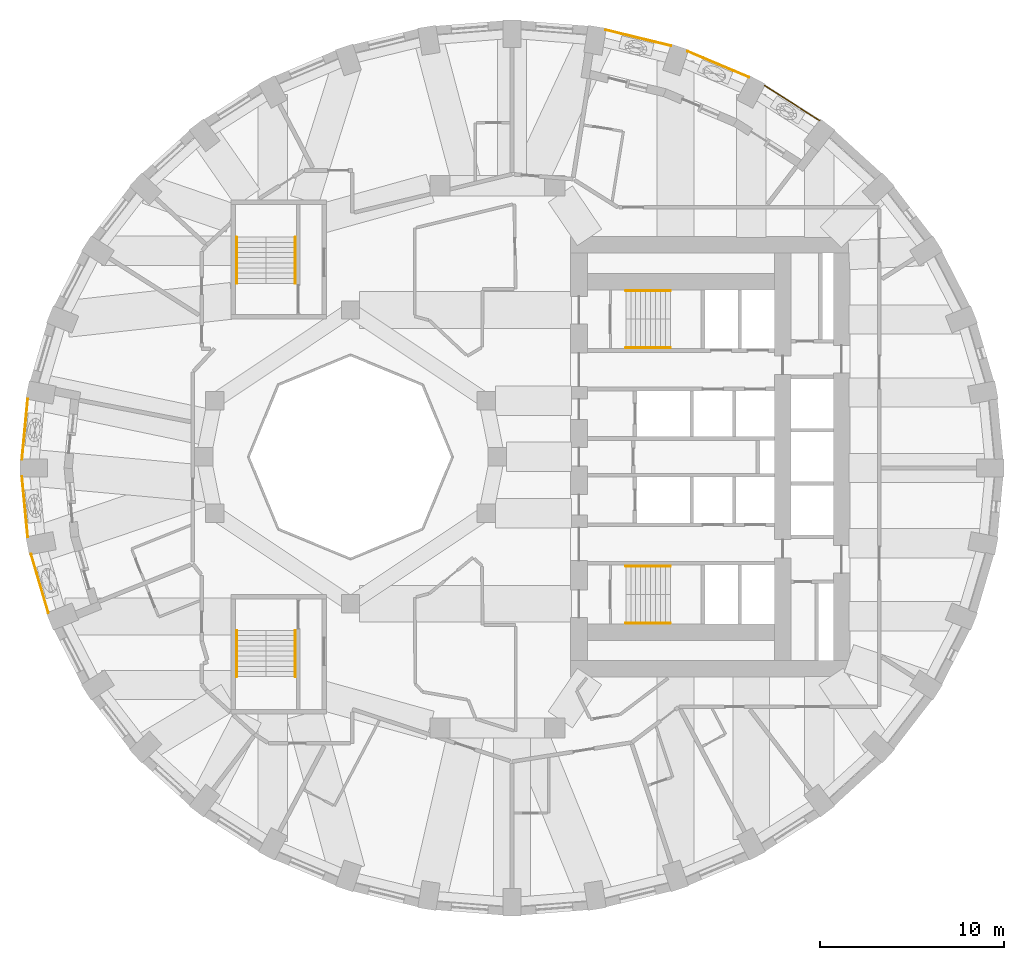
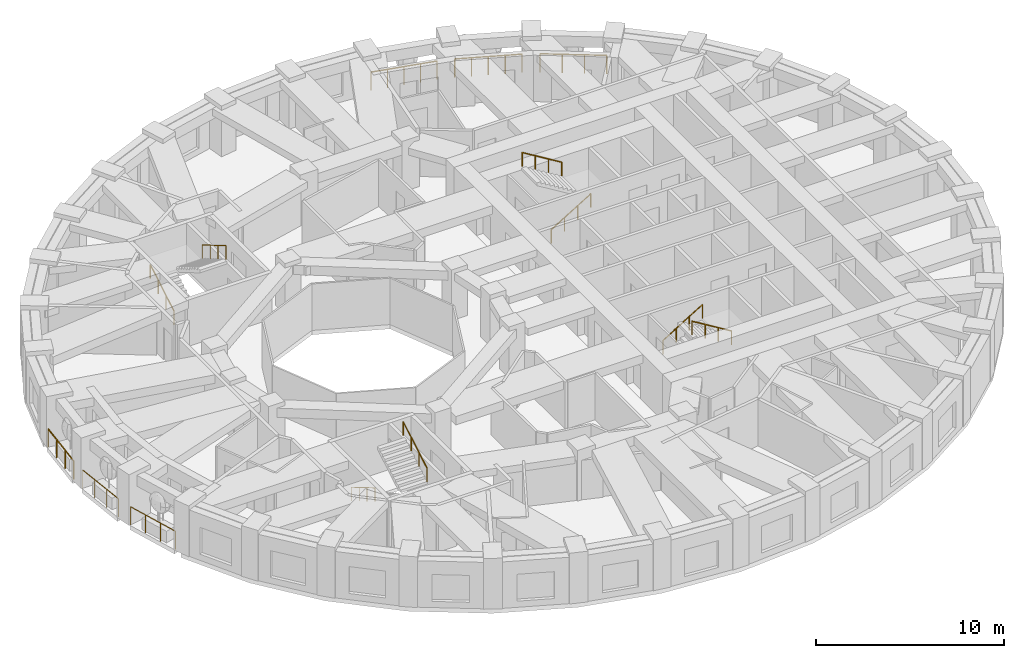
# One storey, part 10 of 12: 14 railings.
"""IFC4 building model written with IfcOpenShell, lengths in metres."""

from ifc_helpers import new_model, si_unit, direction, frame, origin, origin_2d, place, context, subcontext, project, spatial, circle, extrude, material, type_object, element, save


model = new_model("IFC4")

# Units and contexts
model_context = context("Model", 3, precision=1e-05, world=origin(), true_north=direction((0.0, 1.0)))
body_context = subcontext(model_context, "Body", "Model", "MODEL_VIEW")
ifc_project = project(units=[si_unit("LENGTHUNIT", "METRE"), si_unit("AREAUNIT", "SQUARE_METRE"), si_unit("VOLUMEUNIT", "CUBIC_METRE"), si_unit("PLANEANGLEUNIT", "RADIAN"), si_unit("MASSUNIT", "GRAM", prefix="KILO")], contexts=[model_context])

# Site, building, storey
site_placement = place(None, origin())
site = spatial("IfcSite", under=ifc_project, at=site_placement, CompositionType="ELEMENT")
building_placement = place(site_placement, origin())
building = spatial("IfcBuilding", under=site, at=building_placement, Name="Taillehof Tower", CompositionType="ELEMENT")
storey_placement = place(building_placement, frame((0.0, 0.0, 102.10009765625)))
storey = spatial("IfcBuildingStorey", under=building, at=storey_placement, Name="L28", CompositionType="ELEMENT", Elevation=102.10009765625)

# Railings
ifc_material_1 = material(Name="Stainless steel balustrade", Category="steel")
railing_type_1 = type_object("IfcRailingType", Name="Balcony guard 1200", PredefinedType="GUARDRAIL", material=ifc_material_1)
railing_1_placement = place(storey_placement, frame((17.556640625, 18.323486328125, 0.0)))
element("IfcRailing", 1, at=railing_1_placement, inside=storey, type_object=railing_type_1, Name="Balcony guard L28 bay 6", PredefinedType="GUARDRAIL", context=body_context, shape_type="SweptSolid", body=[
    extrude(circle(Radius=0.02392578125, at=origin_2d()), frame((0.0, 0.0, 1.17578125), z_axis=(-0.843861920992, 0.536560395761, 0.0), x_axis=(-0.536560395761, -0.843861920992, 0.0)), (0.0, 0.0, 1.0), 3.56005859375),
    extrude(circle(Radius=0.02099609375, at=origin_2d()), origin(), (0.0, 0.0, 1.0), 1.15185546875),
    extrude(circle(Radius=0.02099609375, at=origin_2d()), frame((-1.00146484375, 0.63671875, 0.0)), (0.0, 0.0, 1.0), 1.15185546875),
    extrude(circle(Radius=0.02099609375, at=origin_2d()), frame((-2.002685546875, 1.2734375, 0.0)), (0.0, 0.0, 1.0), 1.15185546875),
    extrude(circle(Radius=0.02099609375, at=origin_2d()), frame((-3.004150390625, 1.91015625, 0.0)), (0.0, 0.0, 1.0), 1.15185546875),
])
railing_2_placement = place(storey_placement, frame((13.702392578125, 20.679931640625, 0.0)))
element("IfcRailing", 2, at=railing_2_placement, inside=storey, type_object=railing_type_1, Name="Balcony guard L28 bay 7", PredefinedType="GUARDRAIL", context=body_context, shape_type="SweptSolid", body=[
    extrude(circle(Radius=0.02392578125, at=origin_2d()), frame((0.0, 0.0, 1.17578125), z_axis=(-0.920860132176, 0.389893084024, 0.0), x_axis=(-0.389893084024, -0.920860132176, 0.0)), (0.0, 0.0, 1.0), 3.61865234375),
    extrude(circle(Radius=0.02099609375, at=origin_2d()), origin(), (0.0, 0.0, 1.0), 1.15185546875),
    extrude(circle(Radius=0.02099609375, at=origin_2d()), frame((-0.8330078125, 0.352783203125, 0.0)), (0.0, 0.0, 1.0), 1.15185546875),
    extrude(circle(Radius=0.02099609375, at=origin_2d()), frame((-1.666015625, 0.70556640625, 0.0)), (0.0, 0.0, 1.0), 1.15185546875),
    extrude(circle(Radius=0.02099609375, at=origin_2d()), frame((-2.499267578125, 1.05810546875, 0.0)), (0.0, 0.0, 1.0), 1.15185546875),
    extrude(circle(Radius=0.02099609375, at=origin_2d()), frame((-3.332275390625, 1.410888671875, 0.0)), (0.0, 0.0, 1.0), 1.15185546875),
])
railing_3_placement = place(storey_placement, frame((9.45849609375, 22.392333984375, 0.0)))
element("IfcRailing", 3, at=railing_3_placement, inside=storey, type_object=railing_type_1, Name="Balcony guard L28 bay 8", PredefinedType="GUARDRAIL", context=body_context, shape_type="SweptSolid", body=[
    extrude(circle(Radius=0.02392578125, at=origin_2d()), frame((0.0, 0.0, 1.17578125), z_axis=(-0.971645249883, 0.236443457047, 0.0), x_axis=(-0.236443457047, -0.971645249883, 0.0)), (0.0, 0.0, 1.0), 3.661376953125),
    extrude(circle(Radius=0.02099609375, at=origin_2d()), origin(), (0.0, 0.0, 1.0), 1.15185546875),
    extrude(circle(Radius=0.02099609375, at=origin_2d()), frame((-0.889404296875, 0.21630859375, 0.0)), (0.0, 0.0, 1.0), 1.15185546875),
    extrude(circle(Radius=0.02099609375, at=origin_2d()), frame((-1.77880859375, 0.432861328125, 0.0)), (0.0, 0.0, 1.0), 1.15185546875),
    extrude(circle(Radius=0.02099609375, at=origin_2d()), frame((-2.668212890625, 0.6494140625, 0.0)), (0.0, 0.0, 1.0), 1.15185546875),
    extrude(circle(Radius=0.02099609375, at=origin_2d()), frame((-3.5576171875, 0.86572265625, 0.0)), (0.0, 0.0, 1.0), 1.15185546875),
])
railing_4_placement = place(storey_placement, frame((-25.57763671875, 3.157958984375, 0.0)))
element("IfcRailing", 4, at=railing_4_placement, inside=storey, type_object=railing_type_1, Name="Balcony guard L28 bay 18", PredefinedType="GUARDRAIL", context=body_context, shape_type="SweptSolid", body=[
    extrude(circle(Radius=0.02392578125, at=origin_2d()), frame((0.0, 0.0, 1.17578125), z_axis=(-0.095935608485, -0.995387542129, 0.0), x_axis=(0.995387542129, -0.095935608485, 0.0)), (0.0, 0.0, 1.0), 3.29296875),
    extrude(circle(Radius=0.02099609375, at=origin_2d()), origin(), (0.0, 0.0, 1.0), 1.15185546875),
    extrude(circle(Radius=0.02099609375, at=origin_2d()), frame((-0.105224609375, -1.092529296875, 0.0)), (0.0, 0.0, 1.0), 1.15185546875),
    extrude(circle(Radius=0.02099609375, at=origin_2d()), frame((-0.210693359375, -2.185302734375, 0.0)), (0.0, 0.0, 1.0), 1.15185546875),
    extrude(circle(Radius=0.02099609375, at=origin_2d()), frame((-0.31591796875, -3.27783203125, 0.0)), (0.0, 0.0, 1.0), 1.15185546875),
])
railing_5_placement = place(storey_placement, frame((-25.8935546875, -1.080078125, 0.0)))
element("IfcRailing", 5, at=railing_5_placement, inside=storey, type_object=railing_type_1, Name="Balcony guard L28 bay 19", PredefinedType="GUARDRAIL", context=body_context, shape_type="SweptSolid", body=[
    extrude(circle(Radius=0.02392578125, at=origin_2d()), frame((0.0, 0.0, 1.17578125), z_axis=(0.095935608485, -0.995387542129, 0.0), x_axis=(0.995387542129, 0.095935608485, 0.0)), (0.0, 0.0, 1.0), 3.29296875),
    extrude(circle(Radius=0.02099609375, at=origin_2d()), origin(), (0.0, 0.0, 1.0), 1.15185546875),
    extrude(circle(Radius=0.02099609375, at=origin_2d()), frame((0.105224609375, -1.092529296875, 0.0)), (0.0, 0.0, 1.0), 1.15185546875),
    extrude(circle(Radius=0.02099609375, at=origin_2d()), frame((0.210693359375, -2.185302734375, 0.0)), (0.0, 0.0, 1.0), 1.15185546875),
    extrude(circle(Radius=0.02099609375, at=origin_2d()), frame((0.31591796875, -3.27783203125, 0.0)), (0.0, 0.0, 1.0), 1.15185546875),
])
railing_6_placement = place(storey_placement, frame((-25.394775390625, -5.300537109375, 0.0)))
element("IfcRailing", 6, at=railing_6_placement, inside=storey, type_object=railing_type_1, Name="Balcony guard L28 bay 20", PredefinedType="GUARDRAIL", context=body_context, shape_type="SweptSolid", body=[
    extrude(circle(Radius=0.02392578125, at=origin_2d()), frame((0.0, 0.0, 1.17578125), z_axis=(0.283030785866, -0.959110824802, 0.0), x_axis=(0.959110824802, 0.283030785866, 0.0)), (0.0, 0.0, 1.0), 3.317626953125),
    extrude(circle(Radius=0.02099609375, at=origin_2d()), origin(), (0.0, 0.0, 1.0), 1.15185546875),
    extrude(circle(Radius=0.02099609375, at=origin_2d()), frame((0.31298828125, -1.060546875, 0.0)), (0.0, 0.0, 1.0), 1.15185546875),
    extrude(circle(Radius=0.02099609375, at=origin_2d()), frame((0.6259765625, -2.121337890625, 0.0)), (0.0, 0.0, 1.0), 1.15185546875),
    extrude(circle(Radius=0.02099609375, at=origin_2d()), frame((0.93896484375, -3.181884765625, 0.0)), (0.0, 0.0, 1.0), 1.15185546875),
])
ifc_material_2 = material(Name="Stainless steel", Category="steel")
railing_type_2 = type_object("IfcRailingType", Name="Stair handrail 900", PredefinedType="HANDRAIL", material=ifc_material_2)
railing_7_placement = place(storey_placement, frame((7.0, 5.949951171875, 0.164794921875)))
element("IfcRailing", 7, at=railing_7_placement, inside=storey, type_object=railing_type_2, Name="Stair S1 handrail", PredefinedType="HANDRAIL", context=body_context, shape_type="SweptSolid", body=[
    extrude(circle(Radius=0.02392578125, at=origin_2d()), frame((0.0, 0.0, 0.8759765625), z_axis=(0.853258522278, 0.0, 0.521488153423), x_axis=(0.0, 1.0, 0.0)), (0.0, 0.0, 1.0), 2.847900390625),
    extrude(circle(Radius=0.02099609375, at=origin_2d()), origin(), (0.0, 0.0, 1.0), 0.851806640625),
    extrude(circle(Radius=0.02099609375, at=origin_2d()), frame((0.81005859375, 0.0, 0.4951171875)), (0.0, 0.0, 1.0), 0.851806640625),
    extrude(circle(Radius=0.02099609375, at=origin_2d()), frame((1.619873046875, 0.0, 0.989990234375)), (0.0, 0.0, 1.0), 0.851806640625),
    extrude(circle(Radius=0.02099609375, at=origin_2d()), frame((2.429931640625, 0.0, 1.485107421875)), (0.0, 0.0, 1.0), 0.851806640625),
])
railing_8_placement = place(storey_placement, frame((9.429931640625, 9.050048828125, 1.81494140625)))
element("IfcRailing", 8, at=railing_8_placement, inside=storey, type_object=railing_type_2, Name="Stair S1 handrail", PredefinedType="HANDRAIL", context=body_context, shape_type="SweptSolid", body=[
    extrude(circle(Radius=0.02392578125, at=origin_2d()), frame((0.0, 0.0, 0.8759765625), z_axis=(-0.853296667938, 0.0, 0.521425734392), x_axis=(0.0, -1.0, 0.0)), (0.0, 0.0, 1.0), 2.84765625),
    extrude(circle(Radius=0.02099609375, at=origin_2d()), origin(), (0.0, 0.0, 1.0), 0.851806640625),
    extrude(circle(Radius=0.02099609375, at=origin_2d()), frame((-0.81005859375, 0.0, 0.494873046875)), (0.0, 0.0, 1.0), 0.851806640625),
    extrude(circle(Radius=0.02099609375, at=origin_2d()), frame((-1.619873046875, 0.0, 0.989990234375)), (0.0, 0.0, 1.0), 0.851806640625),
    extrude(circle(Radius=0.02099609375, at=origin_2d()), frame((-2.429931640625, 0.0, 1.48486328125)), (0.0, 0.0, 1.0), 0.851806640625),
])
railing_9_placement = place(storey_placement, frame((7.0, -5.949951171875, 0.164794921875)))
element("IfcRailing", 9, at=railing_9_placement, inside=storey, type_object=railing_type_2, Name="Stair S2 handrail", PredefinedType="HANDRAIL", context=body_context, shape_type="SweptSolid", body=[
    extrude(circle(Radius=0.02392578125, at=origin_2d()), frame((0.0, 0.0, 0.8759765625), z_axis=(0.853258522278, 0.0, 0.521488153423), x_axis=(0.0, 1.0, 0.0)), (0.0, 0.0, 1.0), 2.847900390625),
    extrude(circle(Radius=0.02099609375, at=origin_2d()), origin(), (0.0, 0.0, 1.0), 0.851806640625),
    extrude(circle(Radius=0.02099609375, at=origin_2d()), frame((0.81005859375, 0.0, 0.4951171875)), (0.0, 0.0, 1.0), 0.851806640625),
    extrude(circle(Radius=0.02099609375, at=origin_2d()), frame((1.619873046875, 0.0, 0.989990234375)), (0.0, 0.0, 1.0), 0.851806640625),
    extrude(circle(Radius=0.02099609375, at=origin_2d()), frame((2.429931640625, 0.0, 1.485107421875)), (0.0, 0.0, 1.0), 0.851806640625),
])
railing_10_placement = place(storey_placement, frame((9.429931640625, -9.050048828125, 1.81494140625)))
element("IfcRailing", 10, at=railing_10_placement, inside=storey, type_object=railing_type_2, Name="Stair S2 handrail", PredefinedType="HANDRAIL", context=body_context, shape_type="SweptSolid", body=[
    extrude(circle(Radius=0.02392578125, at=origin_2d()), frame((0.0, 0.0, 0.8759765625), z_axis=(-0.853296667938, 0.0, 0.521425734392), x_axis=(0.0, -1.0, 0.0)), (0.0, 0.0, 1.0), 2.84765625),
    extrude(circle(Radius=0.02099609375, at=origin_2d()), origin(), (0.0, 0.0, 1.0), 0.851806640625),
    extrude(circle(Radius=0.02099609375, at=origin_2d()), frame((-0.81005859375, 0.0, 0.494873046875)), (0.0, 0.0, 1.0), 0.851806640625),
    extrude(circle(Radius=0.02099609375, at=origin_2d()), frame((-1.619873046875, 0.0, 0.989990234375)), (0.0, 0.0, 1.0), 0.851806640625),
    extrude(circle(Radius=0.02099609375, at=origin_2d()), frame((-2.429931640625, 0.0, 1.48486328125)), (0.0, 0.0, 1.0), 0.851806640625),
])
railing_11_placement = place(storey_placement, frame((-14.199951171875, 9.449951171875, 0.164794921875)))
element("IfcRailing", 11, at=railing_11_placement, inside=storey, type_object=railing_type_2, Name="Stair S3 handrail", PredefinedType="HANDRAIL", context=body_context, shape_type="SweptSolid", body=[
    extrude(circle(Radius=0.02392578125, at=origin_2d()), frame((0.0, 0.0, 0.8759765625), z_axis=(0.0, 0.86152411907, 0.507716645641), x_axis=(-1.0, 0.0, 0.0)), (0.0, 0.0, 1.0), 2.925048828125),
    extrude(circle(Radius=0.02099609375, at=origin_2d()), origin(), (0.0, 0.0, 1.0), 0.851806640625),
    extrude(circle(Radius=0.02099609375, at=origin_2d()), frame((0.0, 0.840087890625, 0.4951171875)), (0.0, 0.0, 1.0), 0.851806640625),
    extrude(circle(Radius=0.02099609375, at=origin_2d()), frame((0.0, 1.679931640625, 0.989990234375)), (0.0, 0.0, 1.0), 0.851806640625),
    extrude(circle(Radius=0.02099609375, at=origin_2d()), frame((0.0, 2.52001953125, 1.485107421875)), (0.0, 0.0, 1.0), 0.851806640625),
])
railing_12_placement = place(storey_placement, frame((-11.0, 11.969970703125, 1.81494140625)))
element("IfcRailing", 12, at=railing_12_placement, inside=storey, type_object=railing_type_2, Name="Stair S3 handrail", PredefinedType="HANDRAIL", context=body_context, shape_type="SweptSolid", body=[
    extrude(circle(Radius=0.02392578125, at=origin_2d()), frame((0.0, 0.0, 0.8759765625), z_axis=(0.0, -0.861560626758, 0.507654692109), x_axis=(1.0, 0.0, 0.0)), (0.0, 0.0, 1.0), 2.925048828125),
    extrude(circle(Radius=0.02099609375, at=origin_2d()), origin(), (0.0, 0.0, 1.0), 0.851806640625),
    extrude(circle(Radius=0.02099609375, at=origin_2d()), frame((0.0, -0.840087890625, 0.494873046875)), (0.0, 0.0, 1.0), 0.851806640625),
    extrude(circle(Radius=0.02099609375, at=origin_2d()), frame((0.0, -1.679931640625, 0.989990234375)), (0.0, 0.0, 1.0), 0.851806640625),
    extrude(circle(Radius=0.02099609375, at=origin_2d()), frame((0.0, -2.52001953125, 1.48486328125)), (0.0, 0.0, 1.0), 0.851806640625),
])
railing_13_placement = place(storey_placement, frame((-14.199951171875, -9.449951171875, 0.164794921875)))
element("IfcRailing", 13, at=railing_13_placement, inside=storey, type_object=railing_type_2, Name="Stair S4 handrail", PredefinedType="HANDRAIL", context=body_context, shape_type="SweptSolid", body=[
    extrude(circle(Radius=0.02392578125, at=origin_2d()), frame((0.0, 0.0, 0.8759765625), z_axis=(0.0, -0.86152411907, 0.507716645641), x_axis=(1.0, 0.0, 0.0)), (0.0, 0.0, 1.0), 2.925048828125),
    extrude(circle(Radius=0.02099609375, at=origin_2d()), origin(), (0.0, 0.0, 1.0), 0.851806640625),
    extrude(circle(Radius=0.02099609375, at=origin_2d()), frame((0.0, -0.840087890625, 0.4951171875)), (0.0, 0.0, 1.0), 0.851806640625),
    extrude(circle(Radius=0.02099609375, at=origin_2d()), frame((0.0, -1.679931640625, 0.989990234375)), (0.0, 0.0, 1.0), 0.851806640625),
    extrude(circle(Radius=0.02099609375, at=origin_2d()), frame((0.0, -2.52001953125, 1.485107421875)), (0.0, 0.0, 1.0), 0.851806640625),
])
railing_14_placement = place(storey_placement, frame((-11.0, -11.969970703125, 1.81494140625)))
element("IfcRailing", 14, at=railing_14_placement, inside=storey, type_object=railing_type_2, Name="Stair S4 handrail", PredefinedType="HANDRAIL", context=body_context, shape_type="SweptSolid", body=[
    extrude(circle(Radius=0.02392578125, at=origin_2d()), frame((0.0, 0.0, 0.8759765625), z_axis=(0.0, 0.861560626758, 0.507654692109), x_axis=(-1.0, 0.0, 0.0)), (0.0, 0.0, 1.0), 2.925048828125),
    extrude(circle(Radius=0.02099609375, at=origin_2d()), origin(), (0.0, 0.0, 1.0), 0.851806640625),
    extrude(circle(Radius=0.02099609375, at=origin_2d()), frame((0.0, 0.840087890625, 0.494873046875)), (0.0, 0.0, 1.0), 0.851806640625),
    extrude(circle(Radius=0.02099609375, at=origin_2d()), frame((0.0, 1.679931640625, 0.989990234375)), (0.0, 0.0, 1.0), 0.851806640625),
    extrude(circle(Radius=0.02099609375, at=origin_2d()), frame((0.0, 2.52001953125, 1.48486328125)), (0.0, 0.0, 1.0), 0.851806640625),
])

save(model, "model.ifc")
